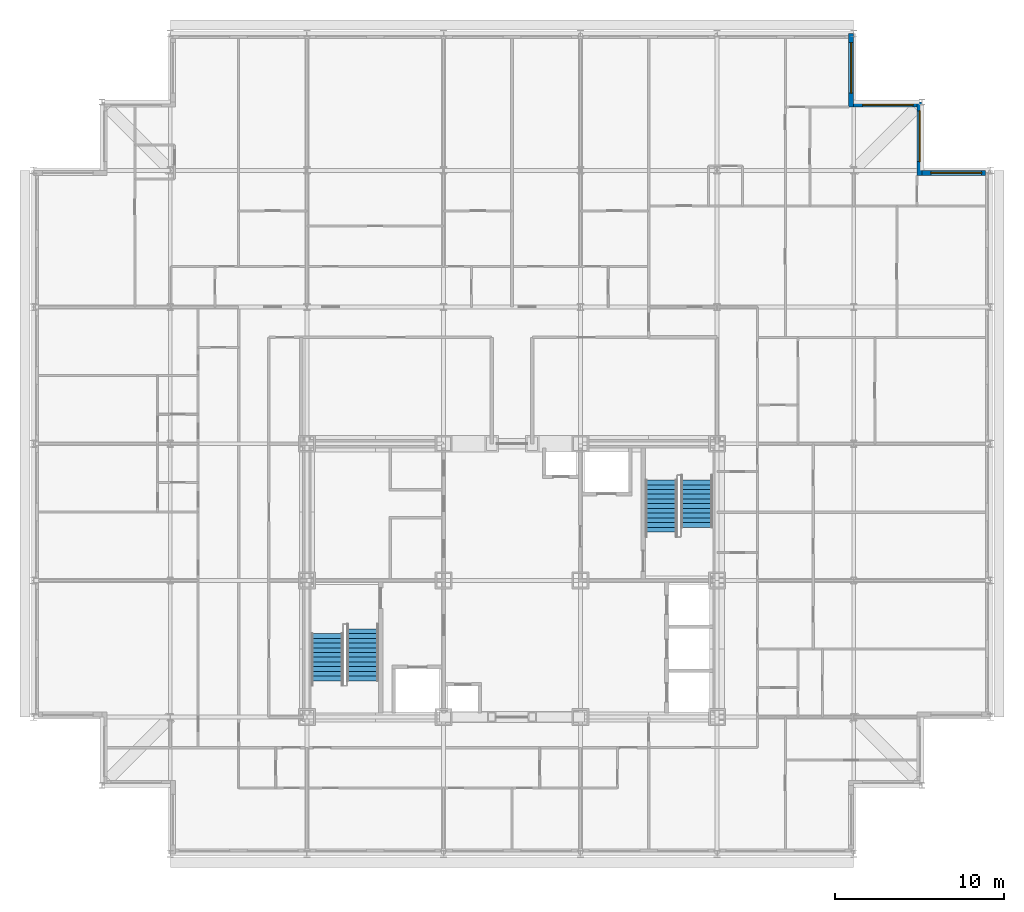
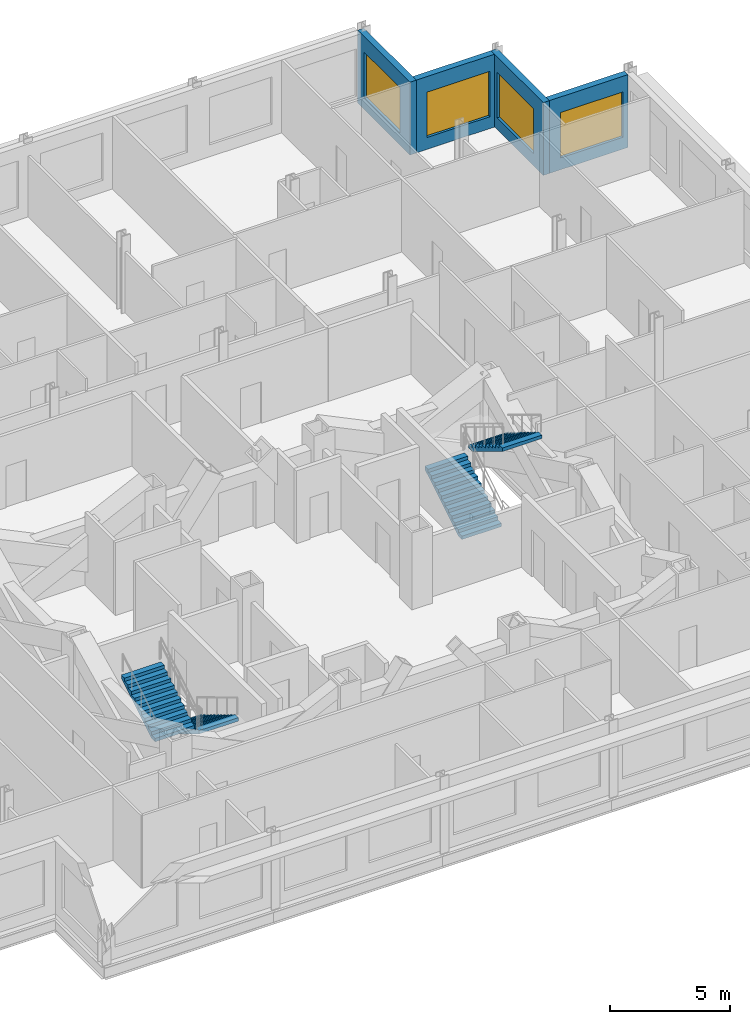
# One storey, part 14 of 15: 4 stair flights, 4 walls, 4 windows, 4 openings, 2 elements without a shape of their own.
"""IFC4 building model written with IfcOpenShell, lengths in metres."""

import ifcopenshell
import ifcopenshell.guid

model = None  # the IFC model being written
_history = None  # IfcOwnerHistory: only IFC2X3 demands one
_inside = {}  # id of a spatial element -> (the spatial element, [elements in it])
_under = {}  # id of a project, library or spatial element -> (it, [spatial elements below it])
_declared = {}  # id of a project -> (the project, [libraries it declares])
_typed = {}  # id of a type object -> (the type object, [elements of that type])
_made_of = {}  # id of a material, layer set ... -> (it, [elements and type objects made of it])


def new_model(schema):
    """Start an empty IFC model of exactly this schema.

    Asked for "IFC4X3", IfcOpenShell would pick the latest addendum, in which some entities
    have other attributes; the version numbers below select the first issue.
    IFC2X3 requires an IfcOwnerHistory on every rooted entity: one is made here for all.
    """
    global model, _history
    if schema == "IFC4X3":
        model = ifcopenshell.file(schema_version=(4, 3, 0, 0))
    else:
        model = ifcopenshell.file(schema=schema)
    _inside.clear()
    _under.clear()
    _declared.clear()
    _typed.clear()
    _made_of.clear()
    _history = None
    if model.schema == "IFC2X3":
        org = make("IfcOrganization", Name="unknown")
        user = make(
            "IfcPersonAndOrganization",
            ThePerson=make("IfcPerson", FamilyName="unknown"),
            TheOrganization=org,
        )
        app = make(
            "IfcApplication",
            ApplicationDeveloper=org,
            Version="unknown",
            ApplicationFullName="unknown",
            ApplicationIdentifier="unknown",
        )
        _history = make(
            "IfcOwnerHistory",
            OwningUser=user,
            OwningApplication=app,
            ChangeAction="ADDED",
            CreationDate=0,
        )
    return model


def make(cls, **values):
    """One entity of the class cls with the attributes given. An attribute that is None is left unset."""
    return model.create_entity(
        cls, **{name: value for name, value in values.items() if value is not None}
    )


def rooted(cls, **values):
    """An entity with a GlobalId (a new one), such as an element, a storey or a relation."""
    return make(cls, GlobalId=ifcopenshell.guid.new(), OwnerHistory=_history, **values)


def si_unit(unit_type, name, prefix=None):
    """IfcSIUnit, for example si_unit("LENGTHUNIT", "METRE", prefix="MILLI")."""
    return make("IfcSIUnit", UnitType=unit_type, Prefix=prefix, Name=name)


def assignment(units):
    """IfcUnitAssignment: the units of a project."""
    return None if units is None else make("IfcUnitAssignment", Units=units)


def point(xyz):
    """IfcCartesianPoint."""
    return None if xyz is None else make("IfcCartesianPoint", Coordinates=xyz)


def direction(xyz):
    """IfcDirection."""
    return None if xyz is None else make("IfcDirection", DirectionRatios=xyz)


def frame(location, z_axis=None, x_axis=None):
    """IfcAxis2Placement3D, a coordinate frame: its origin and axes. An axis left out is left unset."""
    return make(
        "IfcAxis2Placement3D",
        Location=point(location),
        Axis=direction(z_axis),
        RefDirection=direction(x_axis),
    )


def frame_2d(location, x_axis=None):
    """IfcAxis2Placement2D, a coordinate frame in the plane: its origin and x axis."""
    return make(
        "IfcAxis2Placement2D", Location=point(location), RefDirection=direction(x_axis)
    )


def origin():
    """The frame at (0, 0, 0) with its axes left unset."""
    return frame((0.0, 0.0, 0.0))


def place(relative_to, where):
    """IfcLocalPlacement: puts the frame where relative to a parent placement (None: the world)."""
    return make(
        "IfcLocalPlacement", PlacementRelTo=relative_to, RelativePlacement=where
    )


def context(
    kind, dimensions, precision=None, world=None, true_north=None, identifier=None
):
    """IfcGeometricRepresentationContext, for example the 3D "Model" context."""
    return make(
        "IfcGeometricRepresentationContext",
        ContextIdentifier=identifier,
        ContextType=kind,
        CoordinateSpaceDimension=dimensions,
        Precision=precision,
        WorldCoordinateSystem=world,
        TrueNorth=true_north,
    )


def subcontext(parent, identifier, kind, view, scale=None):
    """IfcGeometricRepresentationSubContext, for example "Body" below "Model"."""
    return make(
        "IfcGeometricRepresentationSubContext",
        ContextIdentifier=identifier,
        ContextType=kind,
        ParentContext=parent,
        TargetScale=scale,
        TargetView=view,
    )


def project(units=None, contexts=None):
    """IfcProject with its units and contexts."""
    return rooted(
        "IfcProject",
        Name="project",
        RepresentationContexts=contexts,
        UnitsInContext=assignment(units),
    )


def spatial(cls, under=None, at=None, **own):
    """A site, building, storey or space (cls), placed at a placement, below another one or the project."""
    s = rooted(cls, ObjectPlacement=at, **own)
    if under is not None:
        _under.setdefault(under.id(), (under, []))[1].append(s)
    return s


def point_list(points):
    """IfcCartesianPointList2D or 3D."""
    cls = (
        "IfcCartesianPointList2D" if len(points[0]) == 2 else "IfcCartesianPointList3D"
    )
    return make(cls, CoordList=points)


def profile(cls, at=None, kind="AREA", **sizes):
    """A parametric profile (cls). Its sizes go by their IFC names, for example OverallWidth=200.0."""
    return make(cls, ProfileType=kind, Position=at, **sizes)


def rectangle(**sizes):
    """IfcRectangleProfileDef."""
    return profile("IfcRectangleProfileDef", **sizes)


def extrude(swept, where, along, depth):
    """IfcExtrudedAreaSolid: the profile swept, set in the frame where, extruded along a direction by depth."""
    return make(
        "IfcExtrudedAreaSolid",
        SweptArea=swept,
        Position=where,
        ExtrudedDirection=direction(along),
        Depth=depth,
    )


def polygons(points, faces, closed=None, point_numbers=None):
    """IfcPolygonalFaceSet: a face is its outer loop, then its inner loops; points numbered from 1."""
    made = []
    for loops in faces:
        if len(loops) == 1:
            made.append(make("IfcIndexedPolygonalFace", CoordIndex=loops[0]))
        else:
            made.append(
                make(
                    "IfcIndexedPolygonalFaceWithVoids",
                    CoordIndex=loops[0],
                    InnerCoordIndices=loops[1:],
                )
            )
    return make(
        "IfcPolygonalFaceSet",
        Coordinates=point_list(points),
        Closed=closed,
        Faces=made,
        PnIndex=point_numbers,
    )


def shape(context_of_items, identifier, shape_type, items):
    """IfcShapeRepresentation: the items that make up one representation, for example the "Body"."""
    return make(
        "IfcShapeRepresentation",
        ContextOfItems=context_of_items,
        RepresentationIdentifier=identifier,
        RepresentationType=shape_type,
        Items=items,
    )


def source(mapping_origin, context_of_items, identifier, shape_type, items):
    """IfcRepresentationMap: a shape defined once, which mapped items show again and again."""
    return make(
        "IfcRepresentationMap",
        MappingOrigin=mapping_origin,
        MappedRepresentation=shape(context_of_items, identifier, shape_type, items),
    )


def transform(
    local_origin,
    x_axis=None,
    y_axis=None,
    z_axis=None,
    scale=None,
    scale2=None,
    scale3=None,
    uniform=True,
):
    """IfcCartesianTransformationOperator3D, or its non-uniform kind. x_axis, y_axis, z_axis: its Axis1, 2, 3."""
    if uniform:
        return make(
            "IfcCartesianTransformationOperator3D",
            Axis1=direction(x_axis),
            Axis2=direction(y_axis),
            LocalOrigin=point(local_origin),
            Scale=scale,
            Axis3=direction(z_axis),
        )
    return make(
        "IfcCartesianTransformationOperator3DnonUniform",
        Axis1=direction(x_axis),
        Axis2=direction(y_axis),
        LocalOrigin=point(local_origin),
        Scale=scale,
        Axis3=direction(z_axis),
        Scale2=scale2,
        Scale3=scale3,
    )


def mapped(mapping_source, mapping_target):
    """IfcMappedItem: shows the shape of a source again, moved by a transform."""
    return make(
        "IfcMappedItem", MappingSource=mapping_source, MappingTarget=mapping_target
    )


def material(Name=None, Category=None):
    """IfcMaterial."""
    return make("IfcMaterial", Name=Name, Category=Category)


def layer(
    of_material, thickness, ventilated=None, Name=None, Category=None, Priority=None
):
    """IfcMaterialLayer: one layer of a wall or slab, of a material (None: an air gap)."""
    return make(
        "IfcMaterialLayer",
        Material=of_material,
        LayerThickness=thickness,
        IsVentilated=ventilated,
        Name=Name,
        Category=Category,
        Priority=Priority,
    )


def layer_set(layers, Name=None):
    """IfcMaterialLayerSet."""
    return make("IfcMaterialLayerSet", MaterialLayers=layers, LayerSetName=Name)


def made_of(thing, what):
    """Note that an element or type object is made of a material, layer set ...; save() writes the relation."""
    if what is not None:
        _made_of.setdefault(what.id(), (what, []))[1].append(thing)
    return thing


def type_object(cls, material=None, **own):
    """A type object (cls), such as IfcWallType, which elements share."""
    return made_of(rooted(cls, **own), material)


def element(
    cls,
    number,
    at=None,
    inside=None,
    cuts=None,
    type_object=None,
    material=None,
    context=None,
    identifier="Body",
    shape_type=None,
    held_by="IfcProductDefinitionShape",
    body=None,
    shapes=None,
    **own,
):
    """One element of the class cls, such as IfcWall. Its Tag is "e" and its number.

    at: its placement. inside: the storey or other place that contains it. cuts: it is an
    opening in that element (IfcRelVoidsElement). A single representation is given by context,
    identifier, shape_type and body (its items); several are given by shapes. held_by: the class
    of the entity that holds the representations. save() writes the other relations.
    """
    e = rooted(cls, Tag="e%d" % number, ObjectPlacement=at, **own)
    if body is not None:
        shapes = [shape(context, identifier, shape_type, body)]
    if shapes is not None:
        e.Representation = make(held_by, Representations=shapes)
    if inside is not None:
        _inside.setdefault(inside.id(), (inside, []))[1].append(e)
    if cuts is not None:
        rooted(
            "IfcRelVoidsElement", RelatingBuildingElement=cuts, RelatedOpeningElement=e
        )
    if type_object is not None:
        _typed.setdefault(type_object.id(), (type_object, []))[1].append(e)
    return made_of(e, material)


def fill(opening, filler):
    """IfcRelFillsElement: the door or window that sits in an opening."""
    return rooted(
        "IfcRelFillsElement",
        RelatingOpeningElement=opening,
        RelatedBuildingElement=filler,
    )


def aggregate(whole, parts):
    """IfcRelAggregates: a whole, such as a stair, and the parts it consists of."""
    return rooted("IfcRelAggregates", RelatingObject=whole, RelatedObjects=parts)


def save(model, path):
    """Write the relations noted so far, then the file.

    IfcRelAggregates (storeys below a building ...), IfcRelContainedInSpatialStructure (elements
    in a storey), IfcRelDefinesByType, IfcRelAssociatesMaterial and IfcRelDeclares: one each for
    every whole, place, type object, material and project.
    """
    for whole, parts in _under.values():
        aggregate(whole, parts)
    for where, things in _inside.values():
        rooted(
            "IfcRelContainedInSpatialStructure",
            RelatedElements=things,
            RelatingStructure=where,
        )
    for kind, things in _typed.values():
        rooted("IfcRelDefinesByType", RelatedObjects=things, RelatingType=kind)
    for what, things in _made_of.values():
        rooted("IfcRelAssociatesMaterial", RelatedObjects=things, RelatingMaterial=what)
    for by, libraries in _declared.values():
        rooted("IfcRelDeclares", RelatingContext=by, RelatedDefinitions=libraries)
    model.write(path)


model = new_model("IFC4")

# Units and contexts
model_context = context("Model", 3, precision=1e-05, world=origin(), true_north=direction((0.0, 1.0)))
body_context = subcontext(model_context, "Body", "Model", "MODEL_VIEW")
ifc_project = project(units=[si_unit("LENGTHUNIT", "METRE"), si_unit("AREAUNIT", "SQUARE_METRE"), si_unit("VOLUMEUNIT", "CUBIC_METRE"), si_unit("PLANEANGLEUNIT", "RADIAN"), si_unit("MASSUNIT", "GRAM", prefix="KILO")], contexts=[model_context])

# Site, building, storey
site_placement = place(None, origin())
site = spatial("IfcSite", under=ifc_project, at=site_placement, CompositionType="ELEMENT")
building_placement = place(site_placement, origin())
building = spatial("IfcBuilding", under=site, at=building_placement, Name="Kopane Lantern Tower", CompositionType="ELEMENT")
storey_placement = place(building_placement, frame((0.0, 0.0, 285.300048828125)))
storey = spatial("IfcBuildingStorey", under=building, at=storey_placement, Name="L73", CompositionType="ELEMENT", Elevation=285.300048828125)

# Wall, opening, window
ifc_material_1 = material(Name="Terracotta rainscreen on light steel framing", Category="masonry")
ifc_layer = layer(ifc_material_1, 0.300048828125)
ifc_layer_set = layer_set([ifc_layer], Name="EXTERNAL WALL EW1 300 TERRACOTTA")
wall_type = type_object("IfcWallType", Name="EXTERNAL WALL EW1 300 TERRACOTTA", PredefinedType="SOLIDWALL", material=ifc_layer_set)
wall_1_placement = place(storey_placement, frame((56.39990234375, 56.550048828125, 0.0), z_axis=(0.0, 0.0, 1.0), x_axis=(-1.0, 0.0, 0.0)))
wall_1 = element("IfcWall", 1, at=wall_1_placement, inside=storey, type_object=wall_type, Name="External wall N L73", PredefinedType="SOLIDWALL", context=body_context, shape_type="SweptSolid", body=[
    extrude(rectangle(XDim=3.75, YDim=0.300048828125, at=frame_2d((1.875, 0.0))), origin(), (0.0, 0.0, 1.0), 3.68994140625),
])
opening_1_placement = place(wall_1_placement, frame((0.22509765625, 0.0, 0.60009765625)))
opening_1 = element("IfcOpeningElement", 2, at=opening_1_placement, cuts=wall_1, Name="Opening WR300230", PredefinedType="OPENING", context=body_context, shape_type="SweptSolid", body=[
    extrude(rectangle(XDim=3.0, YDim=2.300048828125, at=frame_2d((1.5, 1.14990234375))), frame((0.0, 0.159912109375, 0.0), z_axis=(0.0, -1.0, 0.0), x_axis=(1.0, 0.0, 0.0)), (0.0, 0.0, 1.0), 0.320068359375),
])
ifc_material_2 = material(Name="Aluminium and clear glass", Category="aluminium")
window_type = type_object("IfcWindowType", Name="RIBBON WINDOW WR300230 3000x2300", PartitioningType="SINGLE_PANEL", PredefinedType="WINDOW", material=ifc_material_2)
window_1_placement = place(opening_1_placement, origin())
window_1 = element("IfcWindow", 3, at=window_1_placement, inside=storey, type_object=window_type, Name="Window N L73", OverallHeight=2.300048828125, OverallWidth=3.0, PartitioningType="SINGLE_PANEL", PredefinedType="WINDOW", context=body_context, shape_type="SweptSolid", body=[
    extrude(rectangle(XDim=3.0, YDim=2.300048828125, at=frame_2d((1.5, 1.14990234375))), frame((0.0, 0.030029296875, 0.0), z_axis=(0.0, -1.0, 0.0), x_axis=(1.0, 0.0, 0.0)), (0.0, 0.0, 1.0), 0.06005859375),
])
fill(opening_1, window_1)

wall_2_placement = place(storey_placement, frame((52.5, 56.39990234375, 0.0), z_axis=(0.0, 0.0, 1.0), x_axis=(0.0, 1.0, 0.0)))
wall_2 = element("IfcWall", 4, at=wall_2_placement, inside=storey, type_object=wall_type, Name="External wall E L73", PredefinedType="SOLIDWALL", context=body_context, shape_type="SweptSolid", body=[
    extrude(rectangle(XDim=4.35009765625, YDim=0.300048828125, at=frame_2d((2.175048828125, 0.0))), origin(), (0.0, 0.0, 1.0), 3.68994140625),
])
opening_2_placement = place(wall_2_placement, frame((0.824951171875, 0.0, 0.60009765625)))
opening_2 = element("IfcOpeningElement", 5, at=opening_2_placement, cuts=wall_2, Name="Opening WR300230", PredefinedType="OPENING", context=body_context, shape_type="SweptSolid", body=[
    extrude(rectangle(XDim=3.0, YDim=2.300048828125, at=frame_2d((1.5, 1.14990234375))), frame((0.0, 0.159912109375, 0.0), z_axis=(0.0, -1.0, 0.0), x_axis=(1.0, 0.0, 0.0)), (0.0, 0.0, 1.0), 0.320068359375),
])
window_2_placement = place(opening_2_placement, origin())
window_2 = element("IfcWindow", 6, at=window_2_placement, inside=storey, type_object=window_type, Name="Window E L73", OverallHeight=2.300048828125, OverallWidth=3.0, PartitioningType="SINGLE_PANEL", PredefinedType="WINDOW", context=body_context, shape_type="SweptSolid", body=[
    extrude(rectangle(XDim=3.0, YDim=2.300048828125, at=frame_2d((1.5, 1.14990234375))), frame((0.0, 0.030029296875, 0.0), z_axis=(0.0, -1.0, 0.0), x_axis=(1.0, 0.0, 0.0)), (0.0, 0.0, 1.0), 0.06005859375),
])
fill(opening_2, window_2)

wall_3_placement = place(storey_placement, frame((52.35009765625, 60.60009765625, 0.0), z_axis=(0.0, 0.0, 1.0), x_axis=(-1.0, 0.0, 0.0)))
wall_3 = element("IfcWall", 7, at=wall_3_placement, inside=storey, type_object=wall_type, Name="External wall N L73", PredefinedType="SOLIDWALL", context=body_context, shape_type="SweptSolid", body=[
    extrude(rectangle(XDim=3.75, YDim=0.300048828125, at=frame_2d((1.875, 0.0))), origin(), (0.0, 0.0, 1.0), 3.68994140625),
])
opening_3_placement = place(wall_3_placement, frame((0.22509765625, 0.0, 0.60009765625)))
opening_3 = element("IfcOpeningElement", 8, at=opening_3_placement, cuts=wall_3, Name="Opening WR300230", PredefinedType="OPENING", context=body_context, shape_type="SweptSolid", body=[
    extrude(rectangle(XDim=3.0, YDim=2.300048828125, at=frame_2d((1.5, 1.14990234375))), frame((0.0, 0.159912109375, 0.0), z_axis=(0.0, -1.0, 0.0), x_axis=(1.0, 0.0, 0.0)), (0.0, 0.0, 1.0), 0.320068359375),
])
window_3_placement = place(opening_3_placement, origin())
window_3 = element("IfcWindow", 9, at=window_3_placement, inside=storey, type_object=window_type, Name="Window N L73", OverallHeight=2.300048828125, OverallWidth=3.0, PartitioningType="SINGLE_PANEL", PredefinedType="WINDOW", context=body_context, shape_type="SweptSolid", body=[
    extrude(rectangle(XDim=3.0, YDim=2.300048828125, at=frame_2d((1.5, 1.14990234375))), frame((0.0, 0.030029296875, 0.0), z_axis=(0.0, -1.0, 0.0), x_axis=(1.0, 0.0, 0.0)), (0.0, 0.0, 1.0), 0.06005859375),
])
fill(opening_3, window_3)

wall_4_placement = place(storey_placement, frame((48.449951171875, 60.449951171875, 0.0), z_axis=(0.0, 0.0, 1.0), x_axis=(0.0, 1.0, 0.0)))
wall_4 = element("IfcWall", 10, at=wall_4_placement, inside=storey, type_object=wall_type, Name="External wall E L73", PredefinedType="SOLIDWALL", context=body_context, shape_type="SweptSolid", body=[
    extrude(rectangle(XDim=4.35009765625, YDim=0.300048828125, at=frame_2d((2.175048828125, 0.0))), origin(), (0.0, 0.0, 1.0), 3.68994140625),
])
opening_4_placement = place(wall_4_placement, frame((0.824951171875, 0.0, 0.60009765625)))
opening_4 = element("IfcOpeningElement", 11, at=opening_4_placement, cuts=wall_4, Name="Opening WR300230", PredefinedType="OPENING", context=body_context, shape_type="SweptSolid", body=[
    extrude(rectangle(XDim=3.0, YDim=2.300048828125, at=frame_2d((1.5, 1.14990234375))), frame((0.0, 0.159912109375, 0.0), z_axis=(0.0, -1.0, 0.0), x_axis=(1.0, 0.0, 0.0)), (0.0, 0.0, 1.0), 0.320068359375),
])
window_4_placement = place(opening_4_placement, origin())
window_4 = element("IfcWindow", 12, at=window_4_placement, inside=storey, type_object=window_type, Name="Window E L73", OverallHeight=2.300048828125, OverallWidth=3.0, PartitioningType="SINGLE_PANEL", PredefinedType="WINDOW", context=body_context, shape_type="SweptSolid", body=[
    extrude(rectangle(XDim=3.0, YDim=2.300048828125, at=frame_2d((1.5, 1.14990234375))), frame((0.0, 0.030029296875, 0.0), z_axis=(0.0, -1.0, 0.0), x_axis=(1.0, 0.0, 0.0)), (0.0, 0.0, 1.0), 0.06005859375),
])
fill(opening_4, window_4)

# Stair, stair flight
ifc_material_3 = material(Name="Steel S355JR", Category="steel")
stair_type = type_object("IfcStairType", Name="EXIT STAIR 1900 HALF TURN", PredefinedType="HALF_TURN_STAIR", material=ifc_material_3)
stair_1_placement = place(storey_placement, origin())
stair_1 = element("IfcStair", 13, at=stair_1_placement, inside=storey, type_object=stair_type, Name="Exit stair ST1 L73", PredefinedType="HALF_TURN_STAIR")
ifc_material_4 = material(Name="Steel S355JR", Category="steel")
stair_flight_type = type_object("IfcStairFlightType", Name="STAIR FLIGHT 1900 STEEL", PredefinedType="STRAIGHT", material=ifc_material_4)
shared_shape_1 = source(origin(), body_context, "Body", "Tessellation", [
    polygons([(3.080078125, 0.949951172, 1.865234375), (2.800048828, 0.949951172, 1.865234375), (2.800048828, -0.949951172, 1.865234375), (3.080078125, -0.949951172, 1.865234375), (0.289306641, 0.949951172, 0.0), (3.080078125, 0.949951172, 1.689941406), (3.080078125, -0.949951172, 1.689941406), (0.289306641, -0.949951172, 0.0), (0.0, 0.949951172, 0.0), (0.0, -0.949951172, 0.0), (0.280029297, 0.949951172, 0.169677734), (0.0, 0.949951172, 0.169677734), (0.0, -0.949951172, 0.169677734), (0.280029297, -0.949951172, 0.169677734), (0.280029297, 0.949951172, 0.339111328), (0.280029297, -0.949951172, 0.339111328), (0.560058594, 0.949951172, 0.339111328), (0.560058594, -0.949951172, 0.339111328), (0.560058594, 0.949951172, 0.508789062), (0.560058594, -0.949951172, 0.508789062), (0.840087891, 0.949951172, 0.508789062), (0.840087891, -0.949951172, 0.508789062), (0.840087891, 0.949951172, 0.678222656), (0.840087891, -0.949951172, 0.678222656), (1.120117188, 0.949951172, 0.678222656), (1.120117188, -0.949951172, 0.678222656), (1.120117188, 0.949951172, 0.847900391), (1.120117188, -0.949951172, 0.847900391), (1.399902344, 0.949951172, 0.847900391), (1.399902344, -0.949951172, 0.847900391), (1.399902344, 0.949951172, 1.017333984), (1.399902344, -0.949951172, 1.017333984), (1.679931641, 0.949951172, 1.017333984), (1.679931641, -0.949951172, 1.017333984), (1.679931641, 0.949951172, 1.187011719), (1.679931641, -0.949951172, 1.187011719), (1.959960938, 0.949951172, 1.187011719), (1.959960938, -0.949951172, 1.187011719), (1.959960938, 0.949951172, 1.356445312), (1.959960938, -0.949951172, 1.356445312), (2.239990234, 0.949951172, 1.356445312), (2.239990234, -0.949951172, 1.356445312), (2.239990234, 0.949951172, 1.526123047), (2.239990234, -0.949951172, 1.526123047), (2.520019531, 0.949951172, 1.526123047), (2.520019531, -0.949951172, 1.526123047), (2.520019531, 0.949951172, 1.695556641), (2.520019531, -0.949951172, 1.695556641), (2.800048828, 0.949951172, 1.695556641), (2.800048828, -0.949951172, 1.695556641), (0.0, 0.0, 0.004585885), (0.0, 0.0, 0.009171769), (0.0, 0.0, 0.013757654), (0.0, 0.0, 0.018343539), (0.0, 0.0, 0.022929424), (0.0, 0.0, 0.027515308), (0.0, 0.0, 0.032101193), (0.0, 0.0, 0.036687078), (0.0, 0.0, 0.041272962), (0.0, 0.0, 0.045858847), (0.0, 0.0, 0.050444732), (0.0, 0.0, 0.055030617), (0.0, 0.0, 0.059616501), (0.0, 0.0, 0.064202386), (0.0, 0.0, 0.068788271), (0.0, 0.0, 0.073374155), (0.0, 0.0, 0.07796004), (0.0, 0.0, 0.082545925), (0.0, 0.0, 0.08713181), (0.0, 0.0, 0.091717694), (0.0, 0.0, 0.096303579), (0.0, 0.0, 0.100889464), (0.0, 0.0, 0.105475348), (0.0, 0.0, 0.110061233), (0.0, 0.0, 0.114647118), (0.0, 0.0, 0.119233003), (0.0, 0.0, 0.123818887), (0.0, 0.0, 0.128404772), (0.0, 0.0, 0.132990657), (0.0, 0.0, 0.137576541), (0.0, 0.0, 0.142162426), (0.0, 0.0, 0.146748311), (0.0, 0.0, 0.151334196), (0.0, 0.0, 0.15592008), (0.0, 0.0, 0.160505965), (0.0, 0.0, 0.16509185), (3.080078125, 0.0, 1.694679054), (3.080078125, 0.0, 1.699416702), (3.080078125, 0.0, 1.70415435), (3.080078125, 0.0, 1.708891997), (3.080078125, 0.0, 1.713629645), (3.080078125, 0.0, 1.718367293), (3.080078125, 0.0, 1.723104941), (3.080078125, 0.0, 1.727842589), (3.080078125, 0.0, 1.732580236), (3.080078125, 0.0, 1.737317884), (3.080078125, 0.0, 1.742055532), (3.080078125, 0.0, 1.74679318), (3.080078125, 0.0, 1.751530828), (3.080078125, 0.0, 1.756268476), (3.080078125, 0.0, 1.761006123), (3.080078125, 0.0, 1.765743771), (3.080078125, 0.0, 1.770481419), (3.080078125, 0.0, 1.775219067), (3.080078125, 0.0, 1.779956715), (3.080078125, 0.0, 1.784694362), (3.080078125, 0.0, 1.78943201), (3.080078125, 0.0, 1.794169658), (3.080078125, 0.0, 1.798907306), (3.080078125, 0.0, 1.803644954), (3.080078125, 0.0, 1.808382601), (3.080078125, 0.0, 1.813120249), (3.080078125, 0.0, 1.817857897), (3.080078125, 0.0, 1.822595545), (3.080078125, 0.0, 1.827333193), (3.080078125, 0.0, 1.83207084), (3.080078125, 0.0, 1.836808488), (3.080078125, 0.0, 1.841546136), (3.080078125, 0.0, 1.846283784), (3.080078125, 0.0, 1.851021432), (3.080078125, 0.0, 1.855759079), (3.080078125, 0.0, 1.860496727)], [[[1, 2, 3]], [[1, 3, 4]], [[5, 6, 7]], [[5, 7, 8]], [[9, 5, 8]], [[9, 8, 10]], [[11, 12, 13]], [[11, 13, 14]], [[15, 11, 14]], [[15, 14, 16]], [[17, 15, 16]], [[17, 16, 18]], [[19, 17, 18]], [[19, 18, 20]], [[21, 19, 20]], [[21, 20, 22]], [[23, 21, 22]], [[23, 22, 24]], [[25, 23, 24]], [[25, 24, 26]], [[27, 25, 26]], [[27, 26, 28]], [[29, 27, 28]], [[29, 28, 30]], [[31, 29, 30]], [[31, 30, 32]], [[33, 31, 32]], [[33, 32, 34]], [[35, 33, 34]], [[35, 34, 36]], [[37, 35, 36]], [[37, 36, 38]], [[39, 37, 38]], [[39, 38, 40]], [[41, 39, 40]], [[41, 40, 42]], [[43, 41, 42]], [[43, 42, 44]], [[45, 43, 44]], [[45, 44, 46]], [[47, 45, 46]], [[47, 46, 48]], [[49, 47, 48]], [[49, 48, 50]], [[2, 49, 50]], [[2, 50, 3]], [[49, 1, 6]], [[45, 49, 6]], [[2, 1, 49]], [[41, 45, 6]], [[47, 49, 45]], [[37, 41, 6]], [[43, 45, 41]], [[39, 41, 37]], [[35, 37, 33]], [[31, 33, 29]], [[5, 21, 25]], [[27, 29, 25]], [[17, 21, 5]], [[23, 25, 21]], [[11, 17, 5]], [[19, 21, 17]], [[9, 11, 5]], [[15, 17, 11]], [[12, 11, 9]], [[6, 5, 25]], [[6, 25, 29]], [[6, 29, 33]], [[6, 33, 37]], [[7, 4, 50]], [[7, 50, 46]], [[50, 4, 3]], [[7, 46, 42]], [[46, 50, 48]], [[7, 42, 38]], [[42, 46, 44]], [[38, 42, 40]], [[34, 38, 36]], [[30, 34, 32]], [[26, 22, 8]], [[26, 30, 28]], [[8, 22, 18]], [[22, 26, 24]], [[8, 18, 14]], [[18, 22, 20]], [[8, 14, 10]], [[14, 18, 16]], [[10, 14, 13]], [[26, 8, 7]], [[30, 26, 7]], [[34, 30, 7]], [[38, 34, 7]], [[10, 51, 9]], [[10, 52, 51]], [[9, 51, 52]], [[10, 53, 52]], [[9, 52, 53]], [[10, 54, 53]], [[9, 53, 54]], [[10, 55, 54]], [[9, 54, 55]], [[10, 56, 55]], [[9, 55, 56]], [[10, 57, 56]], [[9, 56, 57]], [[10, 58, 57]], [[9, 57, 58]], [[10, 59, 58]], [[9, 58, 59]], [[10, 60, 59]], [[9, 59, 60]], [[10, 61, 60]], [[9, 60, 61]], [[10, 62, 61]], [[9, 61, 62]], [[10, 63, 62]], [[9, 62, 63]], [[10, 64, 63]], [[9, 63, 64]], [[10, 65, 64]], [[9, 64, 65]], [[10, 66, 65]], [[9, 65, 66]], [[10, 67, 66]], [[9, 66, 67]], [[10, 68, 67]], [[9, 67, 68]], [[10, 69, 68]], [[9, 68, 69]], [[10, 70, 69]], [[9, 69, 70]], [[10, 71, 70]], [[9, 70, 71]], [[10, 72, 71]], [[9, 71, 72]], [[10, 73, 72]], [[9, 72, 73]], [[10, 74, 73]], [[9, 73, 74]], [[10, 75, 74]], [[9, 74, 75]], [[10, 76, 75]], [[9, 75, 76]], [[10, 77, 76]], [[9, 76, 77]], [[10, 78, 77]], [[9, 77, 78]], [[10, 79, 78]], [[9, 78, 79]], [[10, 80, 79]], [[9, 79, 80]], [[10, 81, 80]], [[9, 80, 81]], [[10, 82, 81]], [[9, 81, 82]], [[10, 83, 82]], [[9, 82, 83]], [[10, 84, 83]], [[9, 83, 84]], [[10, 85, 84]], [[9, 84, 85]], [[10, 86, 85]], [[9, 85, 86]], [[10, 13, 86]], [[86, 13, 12]], [[9, 86, 12]], [[7, 6, 87]], [[7, 87, 88]], [[6, 88, 87]], [[7, 88, 89]], [[6, 89, 88]], [[7, 89, 90]], [[6, 90, 89]], [[7, 90, 91]], [[6, 91, 90]], [[7, 91, 92]], [[6, 92, 91]], [[7, 92, 93]], [[6, 93, 92]], [[7, 93, 94]], [[6, 94, 93]], [[7, 94, 95]], [[6, 95, 94]], [[7, 95, 96]], [[6, 96, 95]], [[7, 96, 97]], [[6, 97, 96]], [[7, 97, 98]], [[6, 98, 97]], [[7, 98, 99]], [[6, 99, 98]], [[7, 99, 100]], [[6, 100, 99]], [[7, 100, 101]], [[6, 101, 100]], [[7, 101, 102]], [[6, 102, 101]], [[7, 102, 103]], [[6, 103, 102]], [[7, 103, 104]], [[6, 104, 103]], [[7, 104, 105]], [[6, 105, 104]], [[7, 105, 106]], [[6, 106, 105]], [[7, 106, 107]], [[6, 107, 106]], [[7, 107, 108]], [[6, 108, 107]], [[7, 108, 109]], [[6, 109, 108]], [[7, 109, 110]], [[6, 110, 109]], [[7, 110, 111]], [[6, 111, 110]], [[7, 111, 112]], [[6, 112, 111]], [[7, 112, 113]], [[6, 113, 112]], [[7, 113, 114]], [[6, 114, 113]], [[7, 114, 115]], [[6, 115, 114]], [[7, 115, 116]], [[6, 116, 115]], [[7, 116, 117]], [[6, 117, 116]], [[7, 117, 118]], [[6, 118, 117]], [[7, 118, 119]], [[6, 119, 118]], [[7, 119, 120]], [[6, 120, 119]], [[7, 120, 121]], [[6, 121, 120]], [[7, 121, 122]], [[6, 122, 121]], [[7, 122, 4]], [[122, 1, 4]], [[6, 1, 122]]], closed=True),
])
stair_flight_1_placement = place(storey_placement, frame((19.5, 29.530029296875, 0.0), z_axis=(0.0, 0.0, 1.0), x_axis=(0.0, -1.0, 0.0)))
stair_flight_1 = element("IfcStairFlight", 14, at=stair_flight_1_placement, type_object=stair_flight_type, Name="ST1 flight 1", NumberOfRisers=12, NumberOfTreads=11, PredefinedType="STRAIGHT", RiserHeight=0.169565217, TreadLength=0.28, context=body_context, shape_type="MappedRepresentation", body=[
    mapped(shared_shape_1, transform((0.0, 0.0, 0.0))),
])

stair_2_placement = place(storey_placement, origin())
stair_2 = element("IfcStair", 15, at=stair_2_placement, inside=storey, type_object=stair_type, Name="Exit stair ST2 L73", PredefinedType="HALF_TURN_STAIR")
stair_flight_2_placement = place(storey_placement, frame((37.199951171875, 35.27001953125, 0.0), z_axis=(0.0, 0.0, 1.0), x_axis=(0.0, 1.0, 0.0)))
stair_flight_2 = element("IfcStairFlight", 16, at=stair_flight_2_placement, type_object=stair_flight_type, Name="ST2 flight 1", NumberOfRisers=12, NumberOfTreads=11, PredefinedType="STRAIGHT", RiserHeight=0.169565217, TreadLength=0.28, context=body_context, shape_type="MappedRepresentation", body=[
    mapped(shared_shape_1, transform((0.0, 0.0, 0.0))),
])

# Stair flight
shared_shape_2 = source(origin(), body_context, "Body", "Tessellation", [
    polygons([(2.800048828, 0.949951172, 1.695556641), (2.520019531, 0.949951172, 1.695556641), (2.520019531, -0.949951172, 1.695556641), (2.800048828, -0.949951172, 1.695556641), (0.289306641, 0.949951172, 0.0), (2.800048828, 0.949951172, 1.520507812), (2.800048828, -0.949951172, 1.520507812), (0.289306641, -0.949951172, 0.0), (0.0, 0.949951172, 0.0), (0.0, -0.949951172, 0.0), (0.280029297, 0.949951172, 0.169677734), (0.0, 0.949951172, 0.169677734), (0.0, -0.949951172, 0.169677734), (0.280029297, -0.949951172, 0.169677734), (0.280029297, 0.949951172, 0.339111328), (0.280029297, -0.949951172, 0.339111328), (0.560058594, 0.949951172, 0.339111328), (0.560058594, -0.949951172, 0.339111328), (0.560058594, 0.949951172, 0.508789062), (0.560058594, -0.949951172, 0.508789062), (0.840087891, 0.949951172, 0.508789062), (0.840087891, -0.949951172, 0.508789062), (0.840087891, 0.949951172, 0.678222656), (0.840087891, -0.949951172, 0.678222656), (1.120117188, 0.949951172, 0.678222656), (1.120117188, -0.949951172, 0.678222656), (1.120117188, 0.949951172, 0.847900391), (1.120117188, -0.949951172, 0.847900391), (1.399902344, 0.949951172, 0.847900391), (1.399902344, -0.949951172, 0.847900391), (1.399902344, 0.949951172, 1.017333984), (1.399902344, -0.949951172, 1.017333984), (1.679931641, 0.949951172, 1.017333984), (1.679931641, -0.949951172, 1.017333984), (1.679931641, 0.949951172, 1.187011719), (1.679931641, -0.949951172, 1.187011719), (1.959960938, 0.949951172, 1.187011719), (1.959960938, -0.949951172, 1.187011719), (1.959960938, 0.949951172, 1.356445312), (1.959960938, -0.949951172, 1.356445312), (2.239990234, 0.949951172, 1.356445312), (2.239990234, -0.949951172, 1.356445312), (2.239990234, 0.949951172, 1.526123047), (2.239990234, -0.949951172, 1.526123047), (2.520019531, 0.949951172, 1.526123047), (2.520019531, -0.949951172, 1.526123047), (0.0, 0.0, 0.004585885), (0.0, 0.0, 0.009171769), (0.0, 0.0, 0.013757654), (0.0, 0.0, 0.018343539), (0.0, 0.0, 0.022929424), (0.0, 0.0, 0.027515308), (0.0, 0.0, 0.032101193), (0.0, 0.0, 0.036687078), (0.0, 0.0, 0.041272962), (0.0, 0.0, 0.045858847), (0.0, 0.0, 0.050444732), (0.0, 0.0, 0.055030617), (0.0, 0.0, 0.059616501), (0.0, 0.0, 0.064202386), (0.0, 0.0, 0.068788271), (0.0, 0.0, 0.073374155), (0.0, 0.0, 0.07796004), (0.0, 0.0, 0.082545925), (0.0, 0.0, 0.08713181), (0.0, 0.0, 0.091717694), (0.0, 0.0, 0.096303579), (0.0, 0.0, 0.100889464), (0.0, 0.0, 0.105475348), (0.0, 0.0, 0.110061233), (0.0, 0.0, 0.114647118), (0.0, 0.0, 0.119233003), (0.0, 0.0, 0.123818887), (0.0, 0.0, 0.128404772), (0.0, 0.0, 0.132990657), (0.0, 0.0, 0.137576541), (0.0, 0.0, 0.142162426), (0.0, 0.0, 0.146748311), (0.0, 0.0, 0.151334196), (0.0, 0.0, 0.15592008), (0.0, 0.0, 0.160505965), (0.0, 0.0, 0.16509185), (2.800048828, 0.0, 1.525238862), (2.800048828, 0.0, 1.529969911), (2.800048828, 0.0, 1.534700961), (2.800048828, 0.0, 1.53943201), (2.800048828, 0.0, 1.54416306), (2.800048828, 0.0, 1.548894109), (2.800048828, 0.0, 1.553625158), (2.800048828, 0.0, 1.558356208), (2.800048828, 0.0, 1.563087257), (2.800048828, 0.0, 1.567818307), (2.800048828, 0.0, 1.572549356), (2.800048828, 0.0, 1.577280405), (2.800048828, 0.0, 1.582011455), (2.800048828, 0.0, 1.586742504), (2.800048828, 0.0, 1.591473554), (2.800048828, 0.0, 1.596204603), (2.800048828, 0.0, 1.600935652), (2.800048828, 0.0, 1.605666702), (2.800048828, 0.0, 1.610397751), (2.800048828, 0.0, 1.615128801), (2.800048828, 0.0, 1.61985985), (2.800048828, 0.0, 1.624590899), (2.800048828, 0.0, 1.629321949), (2.800048828, 0.0, 1.634052998), (2.800048828, 0.0, 1.638784048), (2.800048828, 0.0, 1.643515097), (2.800048828, 0.0, 1.648246147), (2.800048828, 0.0, 1.652977196), (2.800048828, 0.0, 1.657708245), (2.800048828, 0.0, 1.662439295), (2.800048828, 0.0, 1.667170344), (2.800048828, 0.0, 1.671901394), (2.800048828, 0.0, 1.676632443), (2.800048828, 0.0, 1.681363492), (2.800048828, 0.0, 1.686094542), (2.800048828, 0.0, 1.690825591)], [[[1, 2, 3]], [[1, 3, 4]], [[5, 6, 7]], [[5, 7, 8]], [[9, 5, 8]], [[9, 8, 10]], [[11, 12, 13]], [[11, 13, 14]], [[15, 11, 14]], [[15, 14, 16]], [[17, 15, 16]], [[17, 16, 18]], [[19, 17, 18]], [[19, 18, 20]], [[21, 19, 20]], [[21, 20, 22]], [[23, 21, 22]], [[23, 22, 24]], [[25, 23, 24]], [[25, 24, 26]], [[27, 25, 26]], [[27, 26, 28]], [[29, 27, 28]], [[29, 28, 30]], [[31, 29, 30]], [[31, 30, 32]], [[33, 31, 32]], [[33, 32, 34]], [[35, 33, 34]], [[35, 34, 36]], [[37, 35, 36]], [[37, 36, 38]], [[39, 37, 38]], [[39, 38, 40]], [[41, 39, 40]], [[41, 40, 42]], [[43, 41, 42]], [[43, 42, 44]], [[45, 43, 44]], [[45, 44, 46]], [[2, 45, 46]], [[2, 46, 3]], [[45, 1, 6]], [[41, 45, 6]], [[2, 1, 45]], [[37, 41, 6]], [[43, 45, 41]], [[39, 41, 37]], [[35, 37, 33]], [[31, 33, 29]], [[5, 21, 25]], [[27, 29, 25]], [[17, 21, 5]], [[23, 25, 21]], [[11, 17, 5]], [[19, 21, 17]], [[9, 11, 5]], [[15, 17, 11]], [[12, 11, 9]], [[6, 5, 25]], [[6, 25, 29]], [[6, 29, 33]], [[6, 33, 37]], [[7, 4, 46]], [[7, 46, 42]], [[46, 4, 3]], [[7, 42, 38]], [[42, 46, 44]], [[38, 42, 40]], [[34, 38, 36]], [[30, 34, 32]], [[26, 22, 8]], [[26, 30, 28]], [[8, 22, 18]], [[22, 26, 24]], [[8, 18, 14]], [[18, 22, 20]], [[8, 14, 10]], [[14, 18, 16]], [[10, 14, 13]], [[26, 8, 7]], [[30, 26, 7]], [[34, 30, 7]], [[38, 34, 7]], [[10, 47, 9]], [[10, 48, 47]], [[9, 47, 48]], [[10, 49, 48]], [[9, 48, 49]], [[10, 50, 49]], [[9, 49, 50]], [[10, 51, 50]], [[9, 50, 51]], [[10, 52, 51]], [[9, 51, 52]], [[10, 53, 52]], [[9, 52, 53]], [[10, 54, 53]], [[9, 53, 54]], [[10, 55, 54]], [[9, 54, 55]], [[10, 56, 55]], [[9, 55, 56]], [[10, 57, 56]], [[9, 56, 57]], [[10, 58, 57]], [[9, 57, 58]], [[10, 59, 58]], [[9, 58, 59]], [[10, 60, 59]], [[9, 59, 60]], [[10, 61, 60]], [[9, 60, 61]], [[10, 62, 61]], [[9, 61, 62]], [[10, 63, 62]], [[9, 62, 63]], [[10, 64, 63]], [[9, 63, 64]], [[10, 65, 64]], [[9, 64, 65]], [[10, 66, 65]], [[9, 65, 66]], [[10, 67, 66]], [[9, 66, 67]], [[10, 68, 67]], [[9, 67, 68]], [[10, 69, 68]], [[9, 68, 69]], [[10, 70, 69]], [[9, 69, 70]], [[10, 71, 70]], [[9, 70, 71]], [[10, 72, 71]], [[9, 71, 72]], [[10, 73, 72]], [[9, 72, 73]], [[10, 74, 73]], [[9, 73, 74]], [[10, 75, 74]], [[9, 74, 75]], [[10, 76, 75]], [[9, 75, 76]], [[10, 77, 76]], [[9, 76, 77]], [[10, 78, 77]], [[9, 77, 78]], [[10, 79, 78]], [[9, 78, 79]], [[10, 80, 79]], [[9, 79, 80]], [[10, 81, 80]], [[9, 80, 81]], [[10, 82, 81]], [[9, 81, 82]], [[10, 13, 82]], [[82, 13, 12]], [[9, 82, 12]], [[7, 6, 83]], [[7, 83, 84]], [[6, 84, 83]], [[7, 84, 85]], [[6, 85, 84]], [[7, 85, 86]], [[6, 86, 85]], [[7, 86, 87]], [[6, 87, 86]], [[7, 87, 88]], [[6, 88, 87]], [[7, 88, 89]], [[6, 89, 88]], [[7, 89, 90]], [[6, 90, 89]], [[7, 90, 91]], [[6, 91, 90]], [[7, 91, 92]], [[6, 92, 91]], [[7, 92, 93]], [[6, 93, 92]], [[7, 93, 94]], [[6, 94, 93]], [[7, 94, 95]], [[6, 95, 94]], [[7, 95, 96]], [[6, 96, 95]], [[7, 96, 97]], [[6, 97, 96]], [[7, 97, 98]], [[6, 98, 97]], [[7, 98, 99]], [[6, 99, 98]], [[7, 99, 100]], [[6, 100, 99]], [[7, 100, 101]], [[6, 101, 100]], [[7, 101, 102]], [[6, 102, 101]], [[7, 102, 103]], [[6, 103, 102]], [[7, 103, 104]], [[6, 104, 103]], [[7, 104, 105]], [[6, 105, 104]], [[7, 105, 106]], [[6, 106, 105]], [[7, 106, 107]], [[6, 107, 106]], [[7, 107, 108]], [[6, 108, 107]], [[7, 108, 109]], [[6, 109, 108]], [[7, 109, 110]], [[6, 110, 109]], [[7, 110, 111]], [[6, 111, 110]], [[7, 111, 112]], [[6, 112, 111]], [[7, 112, 113]], [[6, 113, 112]], [[7, 113, 114]], [[6, 114, 113]], [[7, 114, 115]], [[6, 115, 114]], [[7, 115, 116]], [[6, 116, 115]], [[7, 116, 117]], [[6, 117, 116]], [[7, 117, 118]], [[6, 118, 117]], [[7, 118, 4]], [[118, 1, 4]], [[6, 1, 118]]], closed=True),
])
stair_flight_3_placement = place(storey_placement, frame((17.39990234375, 26.449951171875, 2.03466796875), z_axis=(0.0, 0.0, 1.0), x_axis=(0.0, 1.0, 0.0)))
stair_flight_3 = element("IfcStairFlight", 17, at=stair_flight_3_placement, type_object=stair_flight_type, Name="ST1 flight 2", NumberOfRisers=11, NumberOfTreads=10, PredefinedType="STRAIGHT", RiserHeight=0.169565217, TreadLength=0.28, context=body_context, shape_type="MappedRepresentation", body=[
    mapped(shared_shape_2, transform((0.0, 0.0, 0.0))),
])

aggregate(stair_1, [stair_flight_1, stair_flight_3])

stair_flight_4_placement = place(storey_placement, frame((39.300048828125, 38.35009765625, 2.03466796875), z_axis=(0.0, 0.0, 1.0), x_axis=(0.0, -1.0, 0.0)))
stair_flight_4 = element("IfcStairFlight", 18, at=stair_flight_4_placement, type_object=stair_flight_type, Name="ST2 flight 2", NumberOfRisers=11, NumberOfTreads=10, PredefinedType="STRAIGHT", RiserHeight=0.169565217, TreadLength=0.28, context=body_context, shape_type="MappedRepresentation", body=[
    mapped(shared_shape_2, transform((0.0, 0.0, 0.0))),
])

aggregate(stair_2, [stair_flight_2, stair_flight_4])

save(model, "model.ifc")
